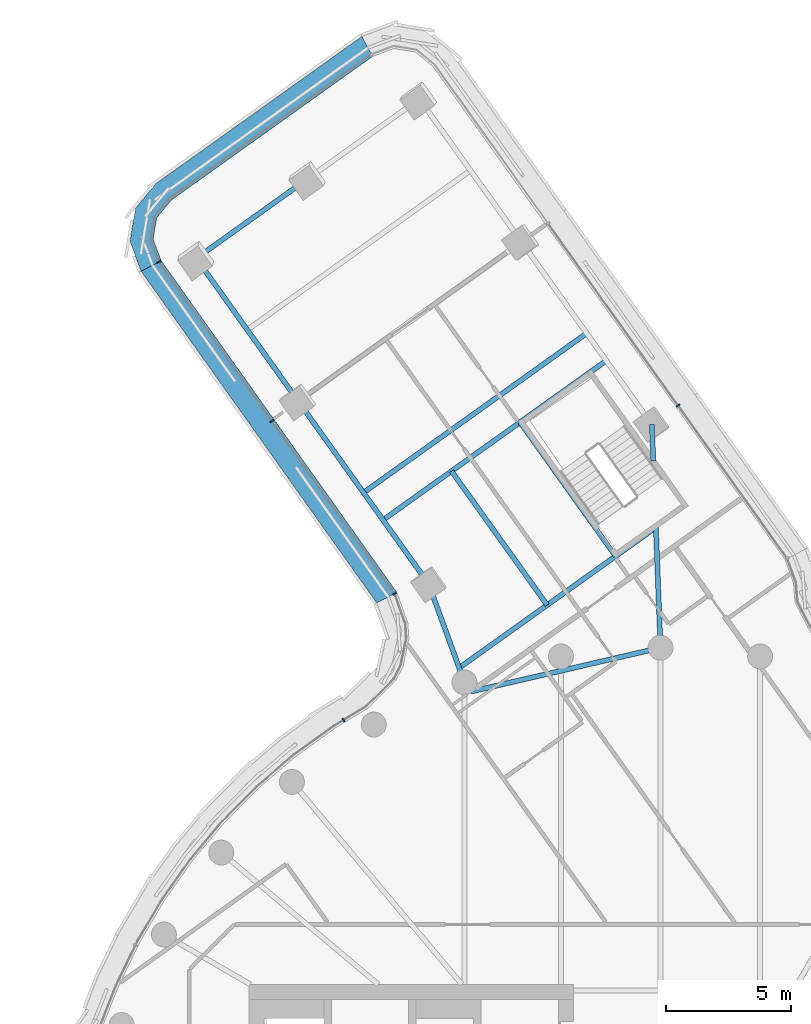
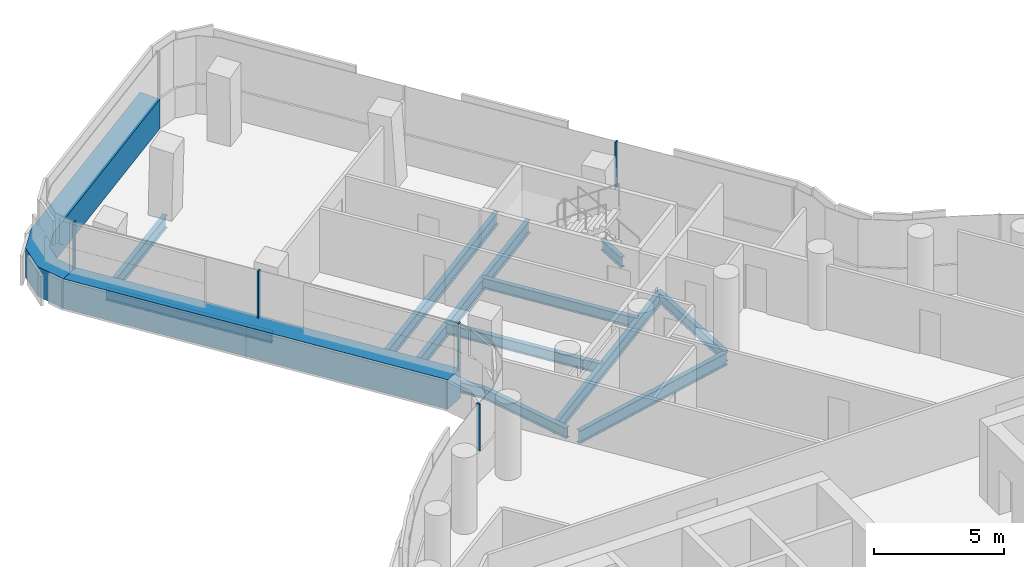
# One storey, part 13 of 31: 12 beams, 7 members, 4 elements without a shape of their own.
"""IFC4 building model written with IfcOpenShell, lengths in metres."""

from ifc_helpers import new_model, si_unit, direction, frame, origin, origin_2d, place, context, subcontext, project, spatial, polyline, rectangle, i_section, outline, extrude, material, layer, layer_set, material_profile, profile_set, type_object, element, aggregate, save


model = new_model("IFC4")

# Units and contexts
model_context = context("Model", 3, precision=1e-05, world=origin(), true_north=direction((0.0, 1.0)))
body_context = subcontext(model_context, "Body", "Model", "MODEL_VIEW")
ifc_project = project(units=[si_unit("LENGTHUNIT", "METRE"), si_unit("AREAUNIT", "SQUARE_METRE"), si_unit("VOLUMEUNIT", "CUBIC_METRE"), si_unit("PLANEANGLEUNIT", "RADIAN"), si_unit("MASSUNIT", "GRAM", prefix="KILO")], contexts=[model_context])

# Site, building, storey
site_placement = place(None, origin())
site = spatial("IfcSite", under=ifc_project, at=site_placement, CompositionType="ELEMENT")
building_placement = place(site_placement, origin())
building = spatial("IfcBuilding", under=site, at=building_placement, Name="Tamarind Cross Interchange Tower", CompositionType="ELEMENT")
storey_placement = place(building_placement, frame((0.0, 0.0, 163.0)))
storey = spatial("IfcBuildingStorey", under=building, at=storey_placement, Name="L40", CompositionType="ELEMENT", Elevation=163.0)

# Beams
ifc_material_1 = material(Name="Steel Q355B", Category="steel")
ifc_material_profile_1 = material_profile(ifc_material_1, i_section(OverallWidth=0.198974609375, OverallDepth=0.49609375, WebThickness=0.009033203125, FlangeThickness=0.013916015625, FilletRadius=0.012939453125, at=origin_2d()), Name="HN 496x199x9x14")
ifc_profile_set_1 = profile_set([ifc_material_profile_1], Name="Steel Q355B")
beam_type_1 = type_object("IfcBeamType", Name="Composite beam HN 496x199x9x14 Q355B", PredefinedType="BEAM", material=ifc_profile_set_1)
beam_1_placement = place(storey_placement, frame((-18.62109375, 38.61767578125, -0.387939453125), z_axis=(0.581018511297, -0.813890342448, 0.0), x_axis=(0.813890342448, 0.581018511297, 0.0)))
element("IfcBeam", 1, at=beam_1_placement, inside=storey, type_object=beam_type_1, Name="Beam N-edgeep2", PredefinedType="BEAM", context=body_context, shape_type="SweptSolid", body=[
    extrude(i_section(OverallWidth=0.198974609375, OverallDepth=0.49609375, WebThickness=0.009033203125, FlangeThickness=0.013916015625, FilletRadius=0.012939453125, at=origin_2d()), origin(), (0.0, 0.0, 1.0), 7.044189453125),
])
beam_2_placement = place(storey_placement, frame((-14.5283203125, 32.884521484375, -0.387939453125), z_axis=(0.581045727236, -0.813870912898, 0.0), x_axis=(0.813870912898, 0.581045727236, 0.0)))
element("IfcBeam", 2, at=beam_2_placement, inside=storey, type_object=beam_type_1, Name="Beam N-edgeep3", PredefinedType="BEAM", context=body_context, shape_type="SweptSolid", body=[
    extrude(i_section(OverallWidth=0.198974609375, OverallDepth=0.49609375, WebThickness=0.009033203125, FlangeThickness=0.013916015625, FilletRadius=0.012939453125, at=origin_2d()), origin(), (0.0, 0.0, 1.0), 9.000244140625),
])
beam_3_placement = place(storey_placement, frame((-0.34619140625, 31.950927734375, -0.387939453125), z_axis=(0.038542529088, -0.999256960672, 0.0), x_axis=(0.999256960672, 0.038542529088, 0.0)))
element("IfcBeam", 3, at=beam_3_placement, inside=storey, type_object=beam_type_1, Name="Beam N-linkemt0", PredefinedType="BEAM", context=body_context, shape_type="SweptSolid", body=[
    extrude(i_section(OverallWidth=0.198974609375, OverallDepth=0.49609375, WebThickness=0.009033203125, FlangeThickness=0.013916015625, FilletRadius=0.012939453125, at=origin_2d()), origin(), (0.0, 0.0, 1.0), 1.456787109375),
])
beam_4_placement = place(storey_placement, frame((-0.18896484375, 27.8857421875, -0.387939453125), z_axis=(0.038647898139, -0.999252890899, 0.0), x_axis=(0.999252890899, 0.038647898139, 0.0)))
element("IfcBeam", 4, at=beam_4_placement, inside=storey, type_object=beam_type_1, Name="Beam N-linkemt1", PredefinedType="BEAM", context=body_context, shape_type="SweptSolid", body=[
    extrude(i_section(OverallWidth=0.198974609375, OverallDepth=0.49609375, WebThickness=0.009033203125, FlangeThickness=0.013916015625, FilletRadius=0.012939453125, at=origin_2d()), origin(), (0.0, 0.0, 1.0), 4.889404296875),
])
beam_5_placement = place(storey_placement, frame((-9.298828125, 25.5595703125, -0.387939453125), z_axis=(0.341168710495, -0.940002080306, 0.0), x_axis=(0.940002080306, 0.341168710495, 0.0)))
element("IfcBeam", 5, at=beam_5_placement, inside=storey, type_object=beam_type_1, Name="Beam N-linkep", PredefinedType="BEAM", context=body_context, shape_type="SweptSolid", body=[
    extrude(i_section(OverallWidth=0.198974609375, OverallDepth=0.49609375, WebThickness=0.009033203125, FlangeThickness=0.013916015625, FilletRadius=0.012939453125, at=origin_2d()), origin(), (0.0, 0.0, 1.0), 4.198486328125),
])
beam_6_placement = place(storey_placement, frame((-1.800537109375, 26.673583984375, -0.387939453125), z_axis=(-0.581049225779, 0.813868415176, 0.0), x_axis=(-0.813868415176, -0.581049225779, 0.0)))
element("IfcBeam", 6, at=beam_6_placement, inside=storey, type_object=beam_type_1, Name="Beam N-tr1", PredefinedType="BEAM", context=body_context, shape_type="SweptSolid", body=[
    extrude(i_section(OverallWidth=0.198974609375, OverallDepth=0.49609375, WebThickness=0.009033203125, FlangeThickness=0.013916015625, FilletRadius=0.012939453125, at=origin_2d()), origin(), (0.0, 0.0, 1.0), 6.60009765625),
])
beam_7_placement = place(storey_placement, frame((-4.547607421875, 24.712646484375, -0.387939453125), z_axis=(-0.581024723052, 0.813885907976, 0.0), x_axis=(-0.813885907976, -0.581024723052, 0.0)))
element("IfcBeam", 7, at=beam_7_placement, inside=storey, type_object=beam_type_1, Name="Beam N-stripp", PredefinedType="BEAM", context=body_context, shape_type="SweptSolid", body=[
    extrude(i_section(OverallWidth=0.198974609375, OverallDepth=0.49609375, WebThickness=0.009033203125, FlangeThickness=0.013916015625, FilletRadius=0.012939453125, at=origin_2d()), origin(), (0.0, 0.0, 1.0), 6.599853515625),
])
ifc_material_profile_2 = material_profile(ifc_material_1, i_section(OverallWidth=0.199951171875, OverallDepth=0.60009765625, WebThickness=0.010986328125, FlangeThickness=0.01708984375, FilletRadius=0.012939453125, at=origin_2d()), Name="HN 600x200x11x17")
ifc_profile_set_2 = profile_set([ifc_material_profile_2], Name="Steel Q355B")
beam_type_2 = type_object("IfcBeamType", Name="Composite beam HN 600x200x11x17 Q355B", PredefinedType="BEAM", material=ifc_profile_set_2)
beam_8_placement = place(storey_placement, frame((-14.144775390625, 41.8134765625, -0.43994140625), z_axis=(-0.813868415176, -0.581049225779, 0.0), x_axis=(0.581049225779, -0.813868415176, 0.0)))
element("IfcBeam", 8, at=beam_8_placement, inside=storey, type_object=beam_type_2, Name="Beam N-tip1", PredefinedType="BEAM", context=body_context, shape_type="SweptSolid", body=[
    extrude(i_section(OverallWidth=0.199951171875, OverallDepth=0.60009765625, WebThickness=0.010986328125, FlangeThickness=0.01708984375, FilletRadius=0.012939453125, at=origin_2d()), origin(), (0.0, 0.0, 1.0), 5.5),
])
beam_9_placement = place(storey_placement, frame((-0.186767578125, 27.825927734375, -0.43994140625), z_axis=(-0.813867872823, -0.581049985446, 0.0), x_axis=(0.581049985446, -0.813867872823, 0.0)))
element("IfcBeam", 9, at=beam_9_placement, inside=storey, type_object=beam_type_2, Name="Beam N-x268", PredefinedType="BEAM", context=body_context, shape_type="SweptSolid", body=[
    extrude(i_section(OverallWidth=0.199951171875, OverallDepth=0.60009765625, WebThickness=0.010986328125, FlangeThickness=0.01708984375, FilletRadius=0.012939453125, at=origin_2d()), origin(), (0.0, 0.0, 1.0), 9.694580078125),
])
beam_10_placement = place(storey_placement, frame((-2.176513671875, 34.5146484375, -0.43994140625), z_axis=(-0.813878910855, -0.581034524332, 0.0), x_axis=(0.581034524332, -0.813878910855, 0.0)))
element("IfcBeam", 10, at=beam_10_placement, inside=storey, type_object=beam_type_2, Name="Beam N-x334", PredefinedType="BEAM", context=body_context, shape_type="SweptSolid", body=[
    extrude(i_section(OverallWidth=0.199951171875, OverallDepth=0.60009765625, WebThickness=0.010986328125, FlangeThickness=0.01708984375, FilletRadius=0.012939453125, at=origin_2d()), origin(), (0.0, 0.0, 1.0), 11.0),
])
beam_11_placement = place(storey_placement, frame((0.0, 23.0, -0.43994140625), z_axis=(-0.97429142751, -0.225291398596, 0.0), x_axis=(0.225291398596, -0.97429142751, 0.0)))
element("IfcBeam", 11, at=beam_11_placement, inside=storey, type_object=beam_type_2, Name="Beam N-x258", PredefinedType="BEAM", context=body_context, shape_type="SweptSolid", body=[
    extrude(i_section(OverallWidth=0.199951171875, OverallDepth=0.60009765625, WebThickness=0.010986328125, FlangeThickness=0.01708984375, FilletRadius=0.012939453125, at=origin_2d()), origin(), (0.0, 0.0, 1.0), 7.802490234375),
])
beam_12_placement = place(storey_placement, frame((-2.9609375, 35.61328125, -0.43994140625), z_axis=(-0.813878910855, -0.581034524332, 0.0), x_axis=(0.581034524332, -0.813878910855, 0.0)))
element("IfcBeam", 12, at=beam_12_placement, inside=storey, type_object=beam_type_2, Name="Beam N-x348", PredefinedType="BEAM", context=body_context, shape_type="SweptSolid", body=[
    extrude(i_section(OverallWidth=0.199951171875, OverallDepth=0.60009765625, WebThickness=0.010986328125, FlangeThickness=0.01708984375, FilletRadius=0.012939453125, at=origin_2d()), origin(), (0.0, 0.0, 1.0), 11.0),
])

# Curtain wall, member
ifc_material_2 = material(Name="Aluminium 6063-T6", Category="aluminium")
ifc_layer = layer(ifc_material_2, 0.159912109375)
ifc_layer_set = layer_set([ifc_layer], Name="Aluminium 6063-T6")
curtain_wall_type = type_object("IfcCurtainWallType", Name="Office curtain wall, 9.0 m bays", PredefinedType="NOTDEFINED", material=ifc_layer_set)
curtain_wall_1_placement = place(storey_placement, origin())
curtain_wall_1 = element("IfcCurtainWall", 13, at=curtain_wall_1_placement, inside=storey, type_object=curtain_wall_type, Name="CWS-L40-08", PredefinedType="NOTDEFINED")
ifc_material_3 = material(Name="Aluminium and insulated spandrel panel", Category="aluminium")
member_type_1 = type_object("IfcMemberType", Name="Floor-edge blade transom", PredefinedType="USERDEFINED", material=ifc_material_3)
member_1_placement = place(storey_placement, origin())
member_1 = element("IfcMember", 14, at=member_1_placement, type_object=member_type_1, Name="CWT-L40-08", ObjectType="TRANSOM", PredefinedType="USERDEFINED", context=body_context, shape_type="SweptSolid", body=[
    extrude(outline(polyline([(-11.550048828125, 46.716064453125), (-19.62451171875, 40.95166015625), (-20.20654296875, 40.2451171875), (-20.3505859375, 39.382568359375), (-20.029541015625, 38.52490234375), (-20.8310546875, 38.099365234375), (-21.27783203125, 39.292724609375), (-21.054443359375, 40.631103515625), (-20.243896484375, 41.615234375), (-11.9765625, 47.517333984375), (-11.550048828125, 46.716064453125)])), origin(), (0.0, 0.0, 1.0), 1.39990234375),
])
aggregate(curtain_wall_1, [member_1])

curtain_wall_2_placement = place(storey_placement, origin())
curtain_wall_2 = element("IfcCurtainWall", 15, at=curtain_wall_2_placement, inside=storey, type_object=curtain_wall_type, Name="CWS-L40-09", PredefinedType="NOTDEFINED")
member_2_placement = place(storey_placement, origin())
member_2 = element("IfcMember", 16, at=member_2_placement, type_object=member_type_1, Name="CWT-L40-09", ObjectType="TRANSOM", PredefinedType="USERDEFINED", context=body_context, shape_type="SweptSolid", body=[
    extrude(outline(polyline([(-20.029541015625, 38.52490234375), (-10.57421875, 25.2158203125), (-11.379638671875, 24.79541015625), (-20.8310546875, 38.099365234375), (-20.029541015625, 38.52490234375)])), origin(), (0.0, 0.0, 1.0), 1.39990234375),
])

curtain_wall_3_placement = place(storey_placement, origin())
curtain_wall_3 = element("IfcCurtainWall", 17, at=curtain_wall_3_placement, inside=storey, type_object=curtain_wall_type, Name="CWS-L40-07", PredefinedType="NOTDEFINED")
ifc_material_profile_3 = material_profile(ifc_material_2, rectangle(XDim=0.06005859375, YDim=0.159912109375, at=origin_2d()), Name="Mullion CW1")
ifc_profile_set_3 = profile_set([ifc_material_profile_3], Name="Aluminium 6063-T6")
member_type_2 = type_object("IfcMemberType", Name="Mullion CW1", PredefinedType="MULLION", material=ifc_profile_set_3)
member_3_placement = place(storey_placement, frame((0.70556640625, 32.715087890625, 1.39990234375), z_axis=(0.0, 0.0, 1.0), x_axis=(-0.581032556811, 0.81388031548, 0.0)))
member_3 = element("IfcMember", 18, at=member_3_placement, type_object=member_type_2, Name="CWM-L40-07-01", PredefinedType="MULLION", context=body_context, shape_type="SweptSolid", body=[
    extrude(rectangle(XDim=0.06005859375, YDim=0.159912109375, at=origin_2d()), origin(), (0.0, 0.0, 1.0), 2.210205078125),
])
aggregate(curtain_wall_3, [member_3])

# Member
member_4_placement = place(storey_placement, frame((-20.118408203125, 38.4775390625, 1.39990234375), z_axis=(0.0, 0.0, 1.0), x_axis=(0.468813412108, -0.883297223265, 0.0)))
member_4 = element("IfcMember", 19, at=member_4_placement, type_object=member_type_2, Name="CWM-L40-09-00", PredefinedType="MULLION", context=body_context, shape_type="SweptSolid", body=[
    extrude(rectangle(XDim=0.06005859375, YDim=0.159912109375, at=origin_2d()), origin(), (0.0, 0.0, 1.0), 2.210205078125),
])

member_5_placement = place(storey_placement, frame((-15.585205078125, 32.096435546875, 1.39990234375), z_axis=(0.0, 0.0, 1.0), x_axis=(0.579158818828, -0.815214734027, 0.0)))
member_5 = element("IfcMember", 20, at=member_5_placement, type_object=member_type_2, Name="CWM-L40-09-01", PredefinedType="MULLION", context=body_context, shape_type="SweptSolid", body=[
    extrude(rectangle(XDim=0.06005859375, YDim=0.159912109375, at=origin_2d()), origin(), (0.0, 0.0, 1.0), 2.210205078125),
])

aggregate(curtain_wall_2, [member_4, member_5, member_2])

# Curtain wall, members
curtain_wall_4_placement = place(storey_placement, origin())
curtain_wall_4 = element("IfcCurtainWall", 21, at=curtain_wall_4_placement, inside=storey, type_object=curtain_wall_type, Name="CWS-L40-10", PredefinedType="NOTDEFINED")
member_6_placement = place(storey_placement, frame((-10.663818359375, 25.169189453125, 1.39990234375), z_axis=(0.0, 0.0, 1.0), x_axis=(0.462720912924, -0.886504008306, 0.0)))
member_6 = element("IfcMember", 22, at=member_6_placement, type_object=member_type_2, Name="CWM-L40-10-00", PredefinedType="MULLION", context=body_context, shape_type="SweptSolid", body=[
    extrude(rectangle(XDim=0.06005859375, YDim=0.159912109375, at=origin_2d()), origin(), (0.0, 0.0, 1.0), 2.210205078125),
])
member_7_placement = place(storey_placement, frame((-12.71484375, 20.09765625, 1.39990234375), z_axis=(0.0, 0.0, 1.0), x_axis=(-0.856156410424, -0.516716751122, 0.0)))
member_7 = element("IfcMember", 23, at=member_7_placement, type_object=member_type_2, Name="CWM-L40-10-01", PredefinedType="MULLION", context=body_context, shape_type="SweptSolid", body=[
    extrude(rectangle(XDim=0.06005859375, YDim=0.159912109375, at=origin_2d()), origin(), (0.0, 0.0, 1.0), 2.210205078125),
])
aggregate(curtain_wall_4, [member_6, member_7])

save(model, "model.ifc")
